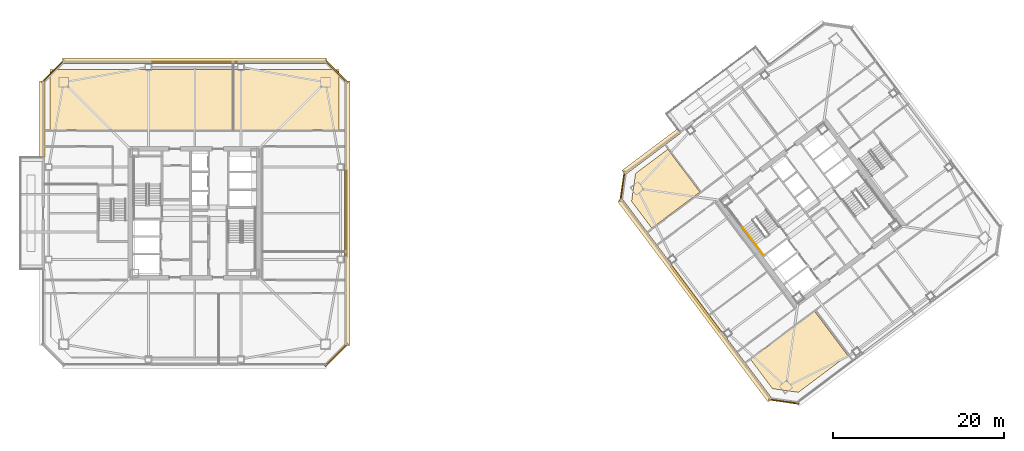
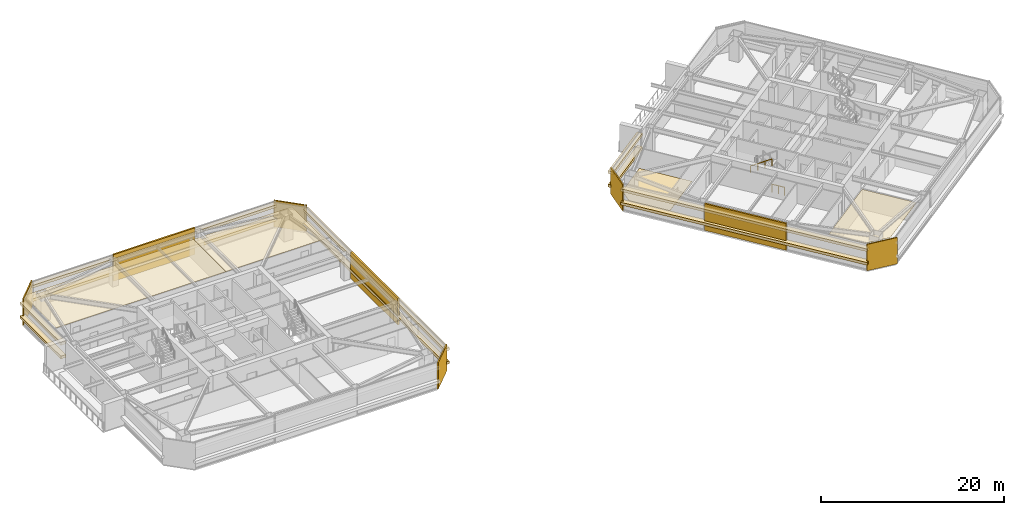
# One storey, part 38 of 41: 22 coverings, 2 railings.
"""IFC4 building model written with IfcOpenShell, lengths in metres."""

import ifcopenshell
import ifcopenshell.guid

model = None  # the IFC model being written
_history = None  # IfcOwnerHistory: only IFC2X3 demands one
_inside = {}  # id of a spatial element -> (the spatial element, [elements in it])
_under = {}  # id of a project, library or spatial element -> (it, [spatial elements below it])
_declared = {}  # id of a project -> (the project, [libraries it declares])
_typed = {}  # id of a type object -> (the type object, [elements of that type])
_made_of = {}  # id of a material, layer set ... -> (it, [elements and type objects made of it])


def new_model(schema):
    """Start an empty IFC model of exactly this schema.

    Asked for "IFC4X3", IfcOpenShell would pick the latest addendum, in which some entities
    have other attributes; the version numbers below select the first issue.
    IFC2X3 requires an IfcOwnerHistory on every rooted entity: one is made here for all.
    """
    global model, _history
    if schema == "IFC4X3":
        model = ifcopenshell.file(schema_version=(4, 3, 0, 0))
    else:
        model = ifcopenshell.file(schema=schema)
    _inside.clear()
    _under.clear()
    _declared.clear()
    _typed.clear()
    _made_of.clear()
    _history = None
    if model.schema == "IFC2X3":
        org = make("IfcOrganization", Name="unknown")
        user = make(
            "IfcPersonAndOrganization",
            ThePerson=make("IfcPerson", FamilyName="unknown"),
            TheOrganization=org,
        )
        app = make(
            "IfcApplication",
            ApplicationDeveloper=org,
            Version="unknown",
            ApplicationFullName="unknown",
            ApplicationIdentifier="unknown",
        )
        _history = make(
            "IfcOwnerHistory",
            OwningUser=user,
            OwningApplication=app,
            ChangeAction="ADDED",
            CreationDate=0,
        )
    return model


def make(cls, **values):
    """One entity of the class cls with the attributes given. An attribute that is None is left unset."""
    return model.create_entity(
        cls, **{name: value for name, value in values.items() if value is not None}
    )


def rooted(cls, **values):
    """An entity with a GlobalId (a new one), such as an element, a storey or a relation."""
    return make(cls, GlobalId=ifcopenshell.guid.new(), OwnerHistory=_history, **values)


def si_unit(unit_type, name, prefix=None):
    """IfcSIUnit, for example si_unit("LENGTHUNIT", "METRE", prefix="MILLI")."""
    return make("IfcSIUnit", UnitType=unit_type, Prefix=prefix, Name=name)


def assignment(units):
    """IfcUnitAssignment: the units of a project."""
    return None if units is None else make("IfcUnitAssignment", Units=units)


def point(xyz):
    """IfcCartesianPoint."""
    return None if xyz is None else make("IfcCartesianPoint", Coordinates=xyz)


def direction(xyz):
    """IfcDirection."""
    return None if xyz is None else make("IfcDirection", DirectionRatios=xyz)


def frame(location, z_axis=None, x_axis=None):
    """IfcAxis2Placement3D, a coordinate frame: its origin and axes. An axis left out is left unset."""
    return make(
        "IfcAxis2Placement3D",
        Location=point(location),
        Axis=direction(z_axis),
        RefDirection=direction(x_axis),
    )


def frame_2d(location, x_axis=None):
    """IfcAxis2Placement2D, a coordinate frame in the plane: its origin and x axis."""
    return make(
        "IfcAxis2Placement2D", Location=point(location), RefDirection=direction(x_axis)
    )


def origin():
    """The frame at (0, 0, 0) with its axes left unset."""
    return frame((0.0, 0.0, 0.0))


def origin_2d():
    """The frame at (0, 0) in the plane with its x axis left unset."""
    return frame_2d((0.0, 0.0))


def place(relative_to, where):
    """IfcLocalPlacement: puts the frame where relative to a parent placement (None: the world)."""
    return make(
        "IfcLocalPlacement", PlacementRelTo=relative_to, RelativePlacement=where
    )


def context(
    kind, dimensions, precision=None, world=None, true_north=None, identifier=None
):
    """IfcGeometricRepresentationContext, for example the 3D "Model" context."""
    return make(
        "IfcGeometricRepresentationContext",
        ContextIdentifier=identifier,
        ContextType=kind,
        CoordinateSpaceDimension=dimensions,
        Precision=precision,
        WorldCoordinateSystem=world,
        TrueNorth=true_north,
    )


def subcontext(parent, identifier, kind, view, scale=None):
    """IfcGeometricRepresentationSubContext, for example "Body" below "Model"."""
    return make(
        "IfcGeometricRepresentationSubContext",
        ContextIdentifier=identifier,
        ContextType=kind,
        ParentContext=parent,
        TargetScale=scale,
        TargetView=view,
    )


def project(units=None, contexts=None):
    """IfcProject with its units and contexts."""
    return rooted(
        "IfcProject",
        Name="project",
        RepresentationContexts=contexts,
        UnitsInContext=assignment(units),
    )


def spatial(cls, under=None, at=None, **own):
    """A site, building, storey or space (cls), placed at a placement, below another one or the project."""
    s = rooted(cls, ObjectPlacement=at, **own)
    if under is not None:
        _under.setdefault(under.id(), (under, []))[1].append(s)
    return s


def polyline(points):
    """IfcPolyline through the points."""
    return make("IfcPolyline", Points=[point(p) for p in points])


def profile(cls, at=None, kind="AREA", **sizes):
    """A parametric profile (cls). Its sizes go by their IFC names, for example OverallWidth=200.0."""
    return make(cls, ProfileType=kind, Position=at, **sizes)


def rectangle(**sizes):
    """IfcRectangleProfileDef."""
    return profile("IfcRectangleProfileDef", **sizes)


def outline(outer, holes=None, kind="AREA"):
    """IfcArbitraryClosedProfileDef: a profile drawn as a closed curve; with holes, ...WithVoids."""
    if holes is None:
        return make("IfcArbitraryClosedProfileDef", ProfileType=kind, OuterCurve=outer)
    return make(
        "IfcArbitraryProfileDefWithVoids",
        ProfileType=kind,
        OuterCurve=outer,
        InnerCurves=holes,
    )


def extrude(swept, where, along, depth):
    """IfcExtrudedAreaSolid: the profile swept, set in the frame where, extruded along a direction by depth."""
    return make(
        "IfcExtrudedAreaSolid",
        SweptArea=swept,
        Position=where,
        ExtrudedDirection=direction(along),
        Depth=depth,
    )


def shape(context_of_items, identifier, shape_type, items):
    """IfcShapeRepresentation: the items that make up one representation, for example the "Body"."""
    return make(
        "IfcShapeRepresentation",
        ContextOfItems=context_of_items,
        RepresentationIdentifier=identifier,
        RepresentationType=shape_type,
        Items=items,
    )


def material(Name=None, Category=None):
    """IfcMaterial."""
    return make("IfcMaterial", Name=Name, Category=Category)


def layer(
    of_material, thickness, ventilated=None, Name=None, Category=None, Priority=None
):
    """IfcMaterialLayer: one layer of a wall or slab, of a material (None: an air gap)."""
    return make(
        "IfcMaterialLayer",
        Material=of_material,
        LayerThickness=thickness,
        IsVentilated=ventilated,
        Name=Name,
        Category=Category,
        Priority=Priority,
    )


def layer_set(layers, Name=None):
    """IfcMaterialLayerSet."""
    return make("IfcMaterialLayerSet", MaterialLayers=layers, LayerSetName=Name)


def made_of(thing, what):
    """Note that an element or type object is made of a material, layer set ...; save() writes the relation."""
    if what is not None:
        _made_of.setdefault(what.id(), (what, []))[1].append(thing)
    return thing


def type_object(cls, material=None, **own):
    """A type object (cls), such as IfcWallType, which elements share."""
    return made_of(rooted(cls, **own), material)


def element(
    cls,
    number,
    at=None,
    inside=None,
    cuts=None,
    type_object=None,
    material=None,
    context=None,
    identifier="Body",
    shape_type=None,
    held_by="IfcProductDefinitionShape",
    body=None,
    shapes=None,
    **own,
):
    """One element of the class cls, such as IfcWall. Its Tag is "e" and its number.

    at: its placement. inside: the storey or other place that contains it. cuts: it is an
    opening in that element (IfcRelVoidsElement). A single representation is given by context,
    identifier, shape_type and body (its items); several are given by shapes. held_by: the class
    of the entity that holds the representations. save() writes the other relations.
    """
    e = rooted(cls, Tag="e%d" % number, ObjectPlacement=at, **own)
    if body is not None:
        shapes = [shape(context, identifier, shape_type, body)]
    if shapes is not None:
        e.Representation = make(held_by, Representations=shapes)
    if inside is not None:
        _inside.setdefault(inside.id(), (inside, []))[1].append(e)
    if cuts is not None:
        rooted(
            "IfcRelVoidsElement", RelatingBuildingElement=cuts, RelatedOpeningElement=e
        )
    if type_object is not None:
        _typed.setdefault(type_object.id(), (type_object, []))[1].append(e)
    return made_of(e, material)


def aggregate(whole, parts):
    """IfcRelAggregates: a whole, such as a stair, and the parts it consists of."""
    return rooted("IfcRelAggregates", RelatingObject=whole, RelatedObjects=parts)


def save(model, path):
    """Write the relations noted so far, then the file.

    IfcRelAggregates (storeys below a building ...), IfcRelContainedInSpatialStructure (elements
    in a storey), IfcRelDefinesByType, IfcRelAssociatesMaterial and IfcRelDeclares: one each for
    every whole, place, type object, material and project.
    """
    for whole, parts in _under.values():
        aggregate(whole, parts)
    for where, things in _inside.values():
        rooted(
            "IfcRelContainedInSpatialStructure",
            RelatedElements=things,
            RelatingStructure=where,
        )
    for kind, things in _typed.values():
        rooted("IfcRelDefinesByType", RelatedObjects=things, RelatingType=kind)
    for what, things in _made_of.values():
        rooted("IfcRelAssociatesMaterial", RelatedObjects=things, RelatingMaterial=what)
    for by, libraries in _declared.values():
        rooted("IfcRelDeclares", RelatingContext=by, RelatedDefinitions=libraries)
    model.write(path)


model = new_model("IFC4")

# Units and contexts
model_context = context("Model", 3, precision=1e-05, world=origin(), true_north=direction((0.0, 1.0)))
body_context = subcontext(model_context, "Body", "Model", "MODEL_VIEW")
ifc_project = project(units=[si_unit("LENGTHUNIT", "METRE"), si_unit("AREAUNIT", "SQUARE_METRE"), si_unit("VOLUMEUNIT", "CUBIC_METRE"), si_unit("PLANEANGLEUNIT", "RADIAN"), si_unit("MASSUNIT", "GRAM", prefix="KILO")], contexts=[model_context])

# Site, building, storey
site_placement = place(None, origin())
site = spatial("IfcSite", under=ifc_project, at=site_placement, CompositionType="ELEMENT")
building_placement = place(site_placement, origin())
building = spatial("IfcBuilding", under=site, at=building_placement, Name="Tashvorn Skyway Center", CompositionType="ELEMENT")
storey_placement = place(building_placement, frame((0.0, 0.0, 192.5)))
storey = spatial("IfcBuildingStorey", under=building, at=storey_placement, Name="L52", CompositionType="ELEMENT", Elevation=192.5)

# Coverings
ifc_material_1 = material(Name="Precast concrete C40/50", Category="concrete")
ifc_layer_1 = layer(ifc_material_1, 0.199951171875)
ifc_layer_set_1 = layer_set([ifc_layer_1], Name="Precast concrete C40/50")
covering_type_1 = type_object("IfcCoveringType", Name="COV-BRACE-CLAD", PredefinedType="CLADDING", material=ifc_layer_set_1)
for number, where, z_axis, x_axis, name in (
    (1, (42.0, 49.679931640625, 0.0), (0.0, 0.0, 1.0), (1.0, 0.0, 0.0), "Tower 1 L52 North Unitised Curtain Wall Mega-Brace Cladding Band 1"),
    (2, (59.679931640625, 32.0, 0.0), (0.0, 0.0, 1.0), (0.0, -1.0, 0.0), "Tower 1 L52 East Unitised Curtain Wall Mega-Brace Cladding Band 1"),
):
    element("IfcCovering", number, at=place(storey_placement, frame(where, z_axis=z_axis, x_axis=x_axis)), inside=storey, type_object=covering_type_1, Name=name, PredefinedType="CLADDING", context=body_context, shape_type="SweptSolid", body=[
        extrude(rectangle(XDim=10.25341796875, YDim=0.199951171875, at=origin_2d()), origin(), (0.0, 0.0, 1.0), 3.550048828125),
    ])
covering_1_placement = place(storey_placement, frame((100.575927734375, 21.931884765625, 0.0), z_axis=(0.0, 0.0, 1.0), x_axis=(-0.600000004945, 0.799999996291, 0.0)))
element("IfcCovering", 3, at=covering_1_placement, inside=storey, type_object=covering_type_1, Name="Tower 2 L52 West Unitised Curtain Wall Mega-Brace Cladding Band 1", PredefinedType="CLADDING", context=body_context, shape_type="SweptSolid", body=[
    extrude(rectangle(XDim=9.719970703125, YDim=0.199951171875, at=origin_2d()), origin(), (0.0, 0.0, 1.0), 3.550048828125),
])
ifc_material_2 = material(Name="Mineral-fibre acoustic ceiling tile on suspended grid")
ifc_layer_2 = layer(ifc_material_2, 0.02001953125)
ifc_layer_set_2 = layer_set([ifc_layer_2], Name="Mineral-fibre acoustic ceiling tile on suspended grid")
covering_type_2 = type_object("IfcCoveringType", Name="COV-CEIL-20", PredefinedType="CEILING", material=ifc_layer_set_2)
covering_2_placement = place(storey_placement, frame((0.0, 0.0, 2.702880859375)))
element("IfcCovering", 4, at=covering_2_placement, inside=storey, type_object=covering_type_2, Name="Tower 1 L52 Wellness Clinic Acoustic Ceiling", PredefinedType="CEILING", context=body_context, shape_type="SweptSolid", body=[
    extrude(outline(polyline([(25.10009765625, 41.669921875), (46.5, 41.669921875), (46.5, 48.800048828125), (25.10009765625, 48.800048828125), (25.10009765625, 41.669921875)])), origin(), (0.0, 0.0, 1.0), 0.02001953125),
])
covering_3_placement = place(storey_placement, frame((0.0, 0.0, 2.702880859375)))
element("IfcCovering", 5, at=covering_3_placement, inside=storey, type_object=covering_type_2, Name="Tower 1 L52 Wellness Clinic Acoustic Ceiling", PredefinedType="CEILING", context=body_context, shape_type="SweptSolid", body=[
    extrude(outline(polyline([(46.5, 41.669921875), (58.89990234375, 41.669921875), (58.89990234375, 48.800048828125), (46.5, 48.800048828125), (46.5, 41.669921875)])), origin(), (0.0, 0.0, 1.0), 0.02001953125),
])
covering_4_placement = place(storey_placement, frame((0.0, 0.0, 2.702880859375)))
element("IfcCovering", 6, at=covering_4_placement, inside=storey, type_object=covering_type_2, Name="Tower 2 L52 Executive Suite Acoustic Ceiling", PredefinedType="CEILING", context=body_context, shape_type="SweptSolid", body=[
    extrude(outline(polyline([(106.9599609375, 14.919921875), (114.447998046875, 20.535888671875), (118.31201171875, 15.384033203125), (112.552001953125, 11.06396484375), (109.528076171875, 11.49609375), (106.9599609375, 14.919921875)])), origin(), (0.0, 0.0, 1.0), 0.02001953125),
])
ifc_material_3 = material(Name="Polished Mojave desert-aggregate terrazzo and cover plate")
ifc_layer_3 = layer(ifc_material_3, 0.0400390625)
ifc_layer_set_3 = layer_set([ifc_layer_3], Name="Polished Mojave desert-aggregate terrazzo and cover plate")
covering_type_3 = type_object("IfcCoveringType", Name="COV-FLR-40", PredefinedType="FLOORING", material=ifc_layer_set_3)
covering_5_placement = place(storey_placement, origin())
element("IfcCovering", 7, at=covering_5_placement, inside=storey, type_object=covering_type_3, Name="Tower 2 L52 Executive Suite Finish Flooring", PredefinedType="FLOORING", context=body_context, shape_type="SweptSolid", body=[
    extrude(outline(polyline([(101.0458984375, 34.471923828125), (95.4140625, 30.248046875), (93.055908203125, 33.39208984375), (93.52001953125, 36.639892578125), (97.2958984375, 39.471923828125), (101.0458984375, 34.471923828125)])), origin(), (0.0, 0.0, 1.0), 0.0400390625),
])
ifc_material_4 = material(Name="Perforated ceramic-coated bronze aluminium solar screen", Category="aluminium")
ifc_layer_4 = layer(ifc_material_4, 0.85009765625)
ifc_layer_set_4 = layer_set([ifc_layer_4], Name="Perforated ceramic-coated bronze aluminium solar screen")
covering_type_4 = type_object("IfcCoveringType", Name="COV-SOLAR-BAND", PredefinedType="CLADDING", material=ifc_layer_set_4)
for number, where, z_axis, x_axis, name in (
    (8, (24.179931640625, 42.989990234375, 0.919921875), (0.0, 0.0, 1.0), (0.0, 1.0, 0.0), "L52 Perforated Ceramic-Metal Solar Screen Louvre Band West 1"),
    (9, (24.179931640625, 42.989990234375, 2.7197265625), (0.0, 0.0, 1.0), (0.0, 1.0, 0.0), "L52 Perforated Ceramic-Metal Solar Screen Louvre Band West 2"),
):
    element("IfcCovering", number, at=place(storey_placement, frame(where, z_axis=z_axis, x_axis=x_axis)), inside=storey, type_object=covering_type_4, Name=name, PredefinedType="CLADDING", context=body_context, shape_type="SweptSolid", body=[
        extrude(rectangle(XDim=8.89990234375, YDim=0.639892578125, at=origin_2d()), origin(), (0.0, 0.0, 1.0), 0.360107421875),
    ])
for number, where, z_axis, x_axis, name in (
    (10, (42.0, 49.820068359375, 0.919921875), (0.0, 0.0, 1.0), (1.0, 0.0, 0.0), "L52 Perforated Ceramic-Metal Solar Screen Louvre Band North 1"),
    (11, (42.0, 49.820068359375, 2.7197265625), (0.0, 0.0, 1.0), (1.0, 0.0, 0.0), "L52 Perforated Ceramic-Metal Solar Screen Louvre Band North 2"),
    (12, (59.820068359375, 32.0, 0.919921875), (0.0, 0.0, 1.0), (0.0, -1.0, 0.0), "L52 Perforated Ceramic-Metal Solar Screen Louvre Band East 1"),
    (13, (59.820068359375, 32.0, 2.7197265625), (0.0, 0.0, 1.0), (0.0, -1.0, 0.0), "L52 Perforated Ceramic-Metal Solar Screen Louvre Band East 2"),
):
    element("IfcCovering", number, at=place(storey_placement, frame(where, z_axis=z_axis, x_axis=x_axis)), inside=storey, type_object=covering_type_4, Name=name, PredefinedType="CLADDING", context=body_context, shape_type="SweptSolid", body=[
        extrude(rectangle(XDim=30.8798828125, YDim=0.639892578125, at=origin_2d()), origin(), (0.0, 0.0, 1.0), 0.360107421875),
    ])
for number, where, z_axis, x_axis, name in (
    (14, (100.464111328125, 21.847900390625, 0.919921875), (0.0, 0.0, 1.0), (-0.600000004945, 0.799999996291, 0.0), "L52 Perforated Ceramic-Metal Solar Screen Louvre Band West 1"),
    (15, (100.464111328125, 21.847900390625, 2.7197265625), (0.0, 0.0, 1.0), (-0.600000004945, 0.799999996291, 0.0), "L52 Perforated Ceramic-Metal Solar Screen Louvre Band West 2"),
):
    element("IfcCovering", number, at=place(storey_placement, frame(where, z_axis=z_axis, x_axis=x_axis)), inside=storey, type_object=covering_type_4, Name=name, PredefinedType="CLADDING", context=body_context, shape_type="SweptSolid", body=[
        extrude(rectangle(XDim=29.280029296875, YDim=0.639892578125, at=origin_2d()), origin(), (0.0, 0.0, 1.0), 0.360107421875),
    ])
for number, where, z_axis, x_axis, name in (
    (16, (95.3759765625, 39.181884765625, 0.919921875), (0.0, 0.0, 1.0), (0.799999996291, 0.600000004945, 0.0), "L52 Perforated Ceramic-Metal Solar Screen Louvre Band North 1"),
    (17, (95.3759765625, 39.181884765625, 2.7197265625), (0.0, 0.0, 1.0), (0.799999996291, 0.600000004945, 0.0), "L52 Perforated Ceramic-Metal Solar Screen Louvre Band North 2"),
):
    element("IfcCovering", number, at=place(storey_placement, frame(where, z_axis=z_axis, x_axis=x_axis)), inside=storey, type_object=covering_type_4, Name=name, PredefinedType="CLADDING", context=body_context, shape_type="SweptSolid", body=[
        extrude(rectangle(XDim=8.10009765625, YDim=0.639892578125, at=origin_2d()), origin(), (0.0, 0.0, 1.0), 0.360107421875),
    ])
ifc_layer_5 = layer(ifc_material_1, 0.35009765625)
ifc_layer_set_5 = layer_set([ifc_layer_5], Name="Precast concrete C40/50")
covering_type_5 = type_object("IfcCoveringType", Name="COV-STONE-TRIM", PredefinedType="CLADDING", material=ifc_layer_set_5)
for number, where, z_axis, x_axis, name in (
    (18, (25.429931640625, 48.570068359375, 0.02001953125), (0.0, 0.0, 1.0), (-0.707106781187, -0.707106781187, 0.0), "Tower 1 L52 NW Mojave Limestone Corner Quoin"),
    (19, (58.570068359375, 48.570068359375, 0.02001953125), (0.0, 0.0, 1.0), (0.707106781187, -0.707106781187, 0.0), "Tower 1 L52 NE Mojave Limestone Corner Quoin"),
    (20, (58.570068359375, 15.429931640625, 0.02001953125), (0.0, 0.0, 1.0), (0.707106781187, 0.707106781187, 0.0), "Tower 1 L52 SE Mojave Limestone Corner Quoin"),
):
    element("IfcCovering", number, at=place(storey_placement, frame(where, z_axis=z_axis, x_axis=x_axis)), inside=storey, type_object=covering_type_5, Name=name, PredefinedType="CLADDING", context=body_context, shape_type="SweptSolid", body=[
        extrude(rectangle(XDim=3.695556640625, YDim=0.139892578125, at=origin_2d()), origin(), (0.0, 0.0, 1.0), 3.510009765625),
    ])
for number, where, z_axis, x_axis, name in (
    (21, (110.85595703125, 9.991943359375, 0.02001953125), (0.0, 0.0, 1.0), (-0.989949494535, 0.141421350118, 0.0), "Tower 2 L52 SW Mojave Limestone Corner Quoin"),
    (22, (91.991943359375, 35.14404296875, 0.02001953125), (0.0, 0.0, 1.0), (-0.141421350118, -0.989949494535, 0.0), "Tower 2 L52 NW Mojave Limestone Corner Quoin"),
):
    element("IfcCovering", number, at=place(storey_placement, frame(where, z_axis=z_axis, x_axis=x_axis)), inside=storey, type_object=covering_type_5, Name=name, PredefinedType="CLADDING", context=body_context, shape_type="SweptSolid", body=[
        extrude(rectangle(XDim=3.55419921875, YDim=0.139892578125, at=origin_2d()), origin(), (0.0, 0.0, 1.0), 3.510009765625),
    ])

# Railings
ifc_material_5 = material(Name="Brushed stainless steel 316", Category="steel")
railing_type_1 = type_object("IfcRailingType", Name="RAIL-HAND-920", PredefinedType="HANDRAIL", material=ifc_material_5)
railing_1_placement = place(storey_placement, frame((106.072021484375, 30.35400390625, 1.952392578125)))
element("IfcRailing", 23, at=railing_1_placement, inside=storey, type_object=railing_type_1, Name="L52 ST-T2-1 stair handrail 2", PredefinedType="HANDRAIL", context=body_context, shape_type="SweptSolid", body=[
    extrude(rectangle(XDim=0.048095703125, YDim=0.048095703125, at=origin_2d()), frame((0.0, 0.0, 0.8759765625), z_axis=(0.506718600913, -0.675679348675, 0.535437836974), x_axis=(0.800023250257, 0.599968998406, 0.0)), (0.0, 0.0, 1.0), 2.98388671875),
    extrude(rectangle(XDim=0.0419921875, YDim=0.0419921875, at=origin_2d()), origin(), (0.0, 0.0, 1.0), 0.851806640625),
    extrude(rectangle(XDim=0.0419921875, YDim=0.0419921875, at=origin_2d()), frame((0.50390625, -0.672119140625, 0.532470703125)), (0.0, 0.0, 1.0), 0.851806640625),
    extrude(rectangle(XDim=0.0419921875, YDim=0.0419921875, at=origin_2d()), frame((1.008056640625, -1.343994140625, 1.065185546875)), (0.0, 0.0, 1.0), 0.851806640625),
    extrude(rectangle(XDim=0.0419921875, YDim=0.0419921875, at=origin_2d()), frame((1.511962890625, -2.01611328125, 1.59765625)), (0.0, 0.0, 1.0), 0.851806640625),
])
ifc_material_6 = material(Name="Painted galvanized steel S355", Category="steel")
railing_type_2 = type_object("IfcRailingType", Name="RAIL-STGUARD-1100", PredefinedType="GUARDRAIL", material=ifc_material_6)
railing_2_placement = place(storey_placement, frame((108.49609375, 27.1220703125, 0.0)))
element("IfcRailing", 24, at=railing_2_placement, inside=storey, type_object=railing_type_2, Name="L52 ST-T2-1 stair guard 6", PredefinedType="GUARDRAIL", context=body_context, shape_type="SweptSolid", body=[
    extrude(rectangle(XDim=0.048095703125, YDim=0.048095703125, at=origin_2d()), frame((0.0, 0.0, 1.076171875), z_axis=(-0.600102796382, 0.799922892393, 0.0), x_axis=(-0.799922892393, -0.600102796382, 0.0)), (0.0, 0.0, 1.0), 1.52001953125),
    extrude(rectangle(XDim=0.0419921875, YDim=0.0419921875, at=origin_2d()), origin(), (0.0, 0.0, 1.0), 1.052001953125),
    extrude(rectangle(XDim=0.0419921875, YDim=0.0419921875, at=origin_2d()), frame((-0.4560546875, 0.60791015625, 0.0)), (0.0, 0.0, 1.0), 1.052001953125),
    extrude(rectangle(XDim=0.0419921875, YDim=0.0419921875, at=origin_2d()), frame((-0.912109375, 1.2158203125, 0.0)), (0.0, 0.0, 1.0), 1.052001953125),
])

save(model, "model.ifc")
